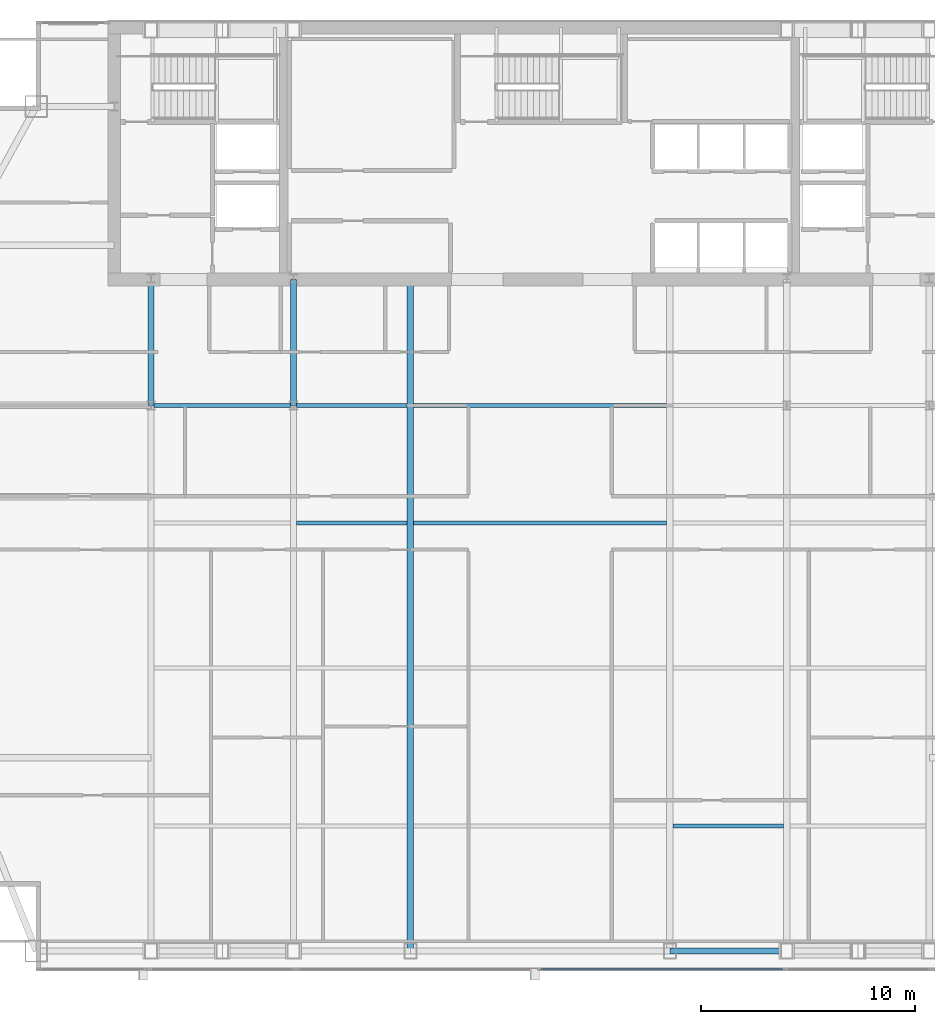
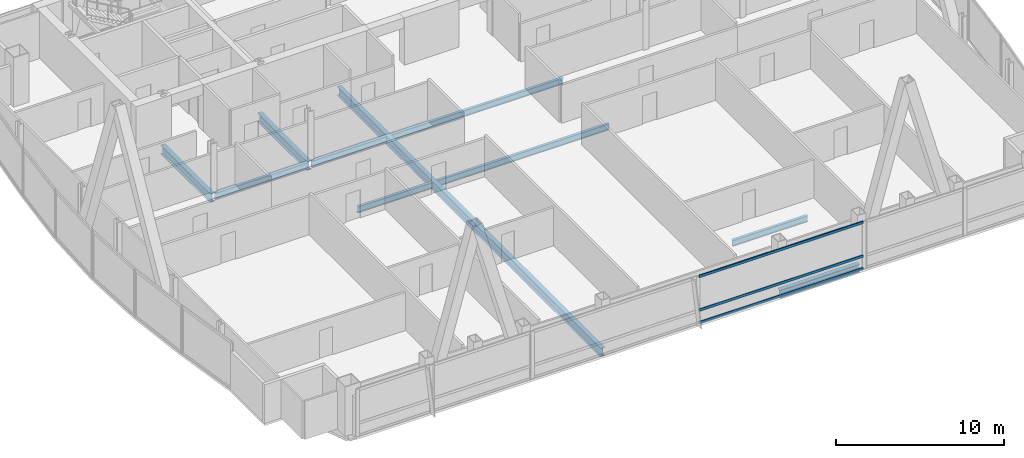
# One storey, part 13 of 31: 10 beams, 3 members, 1 element without a shape of its own.
"""IFC4 building model written with IfcOpenShell, lengths in metres."""

from ifc_helpers import new_model, si_unit, direction, frame, origin, origin_2d, place, context, subcontext, project, spatial, hollow_rectangle, i_section, extrude, material, material_profile, profile_set, type_object, element, aggregate, save


model = new_model("IFC4")

# Units and contexts
model_context = context("Model", 3, precision=1e-05, world=origin(), true_north=direction((0.0, 1.0)))
body_context = subcontext(model_context, "Body", "Model", "MODEL_VIEW")
ifc_project = project(units=[si_unit("LENGTHUNIT", "METRE"), si_unit("AREAUNIT", "SQUARE_METRE"), si_unit("VOLUMEUNIT", "CUBIC_METRE"), si_unit("PLANEANGLEUNIT", "RADIAN"), si_unit("MASSUNIT", "GRAM", prefix="KILO")], contexts=[model_context])

# Site, building, storey
site_placement = place(None, origin())
site = spatial("IfcSite", under=ifc_project, at=site_placement, CompositionType="ELEMENT")
building_placement = place(site_placement, origin())
building = spatial("IfcBuilding", under=site, at=building_placement, Name="Khoronbel Lancet Exchange", CompositionType="ELEMENT")
storey_placement = place(building_placement, frame((0.0, 0.0, 249.800048828125)))
storey = spatial("IfcBuildingStorey", under=building, at=storey_placement, Name="L64", CompositionType="ELEMENT", Elevation=249.800048828125)

# Beams
ifc_material_1 = material(Name="Steel S355", Category="steel")
ifc_material_profile_1 = material_profile(ifc_material_1, i_section(OverallWidth=0.300048828125, OverallDepth=0.64990234375, WebThickness=0.01611328125, FlangeThickness=0.031005859375, at=origin_2d()), Name="HEB 650")
ifc_profile_set_1 = profile_set([ifc_material_profile_1], Name="Steel S355")
beam_type_1 = type_object("IfcBeamType", Name="BM-BG4", PredefinedType="BEAM", material=ifc_profile_set_1)
for number, where, z_axis, x_axis, name in (
    (1, (18.22509765625, 35.699951171875, -0.485107421875), (0.0, 1.0, 0.0), (-1.0, 0.0, 0.0), "Level L64 spine tie girder GN1"),
    (2, (24.89990234375, 35.699951171875, -0.485107421875), (0.0, 1.0, 0.0), (-1.0, 0.0, 0.0), "Level L64 spine tie girder GN2"),
):
    element("IfcBeam", number, at=place(storey_placement, frame(where, z_axis=z_axis, x_axis=x_axis)), inside=storey, type_object=beam_type_1, Name=name, PredefinedType="BEAM", context=body_context, shape_type="SweptSolid", body=[
        extrude(i_section(OverallWidth=0.300048828125, OverallDepth=0.64990234375, WebThickness=0.01611328125, FlangeThickness=0.031005859375, at=origin_2d()), origin(), (0.0, 0.0, 1.0), 5.900146484375),
    ])
beam_1_placement = place(storey_placement, frame((30.375, 10.14990234375, -0.485107421875), z_axis=(0.0, 1.0, 0.0), x_axis=(-1.0, 0.0, 0.0)))
element("IfcBeam", 3, at=beam_1_placement, inside=storey, type_object=beam_type_1, Name="Level L64 primary floor girder G3", PredefinedType="BEAM", context=body_context, shape_type="SweptSolid", body=[
    extrude(i_section(OverallWidth=0.300048828125, OverallDepth=0.64990234375, WebThickness=0.01611328125, FlangeThickness=0.031005859375, at=origin_2d()), origin(), (0.0, 0.0, 1.0), 31.4501953125),
])
ifc_material_profile_2 = material_profile(ifc_material_1, i_section(OverallWidth=0.18994140625, OverallDepth=0.449951171875, WebThickness=0.009521484375, FlangeThickness=0.0146484375, at=origin_2d()), Name="IPE 450")
ifc_profile_set_2 = profile_set([ifc_material_profile_2], Name="Steel S355")
beam_type_2 = type_object("IfcBeamType", Name="BM-BJ4", PredefinedType="JOIST", material=ifc_profile_set_2)
for number, where, z_axis, x_axis, name in (
    (4, (42.675048828125, 16.0, -0.385009765625), (1.0, 0.0, 0.0), (0.0, 1.0, 0.0), "Level L64 secondary composite joist J04"),
    (5, (25.050048828125, 30.199951171875, -0.385009765625), (1.0, 0.0, 0.0), (0.0, 1.0, 0.0), "Level L64 secondary composite joist J12"),
):
    element("IfcBeam", number, at=place(storey_placement, frame(where, z_axis=z_axis, x_axis=x_axis)), inside=storey, type_object=beam_type_2, Name=name, PredefinedType="JOIST", context=body_context, shape_type="SweptSolid", body=[
        extrude(i_section(OverallWidth=0.18994140625, OverallDepth=0.449951171875, WebThickness=0.009521484375, FlangeThickness=0.0146484375, at=origin_2d()), origin(), (0.0, 0.0, 1.0), 5.175048828125),
    ])
beam_2_placement = place(storey_placement, frame((30.52490234375, 30.199951171875, -0.385009765625), z_axis=(1.0, 0.0, 0.0), x_axis=(0.0, 1.0, 0.0)))
element("IfcBeam", 6, at=beam_2_placement, inside=storey, type_object=beam_type_2, Name="Level L64 secondary composite joist J13", PredefinedType="JOIST", context=body_context, shape_type="SweptSolid", body=[
    extrude(i_section(OverallWidth=0.18994140625, OverallDepth=0.449951171875, WebThickness=0.009521484375, FlangeThickness=0.0146484375, at=origin_2d()), origin(), (0.0, 0.0, 1.0), 11.85009765625),
])
beam_3_placement = place(storey_placement, frame((18.375, 35.699951171875, -0.385009765625), z_axis=(1.0, 0.0, 0.0), x_axis=(0.0, 1.0, 0.0)))
element("IfcBeam", 7, at=beam_3_placement, inside=storey, type_object=beam_type_2, Name="Level L64 secondary composite joist J16", PredefinedType="JOIST", context=body_context, shape_type="SweptSolid", body=[
    extrude(i_section(OverallWidth=0.18994140625, OverallDepth=0.449951171875, WebThickness=0.009521484375, FlangeThickness=0.0146484375, at=origin_2d()), origin(), (0.0, 0.0, 1.0), 6.375),
])
beam_4_placement = place(storey_placement, frame((25.050048828125, 35.699951171875, -0.385009765625), z_axis=(1.0, 0.0, 0.0), x_axis=(0.0, 1.0, 0.0)))
element("IfcBeam", 8, at=beam_4_placement, inside=storey, type_object=beam_type_2, Name="Level L64 secondary composite joist J17", PredefinedType="JOIST", context=body_context, shape_type="SweptSolid", body=[
    extrude(i_section(OverallWidth=0.18994140625, OverallDepth=0.449951171875, WebThickness=0.009521484375, FlangeThickness=0.0146484375, at=origin_2d()), origin(), (0.0, 0.0, 1.0), 5.175048828125),
])
beam_5_placement = place(storey_placement, frame((30.52490234375, 35.699951171875, -0.385009765625), z_axis=(1.0, 0.0, 0.0), x_axis=(0.0, 1.0, 0.0)))
element("IfcBeam", 9, at=beam_5_placement, inside=storey, type_object=beam_type_2, Name="Level L64 secondary composite joist J18", PredefinedType="JOIST", context=body_context, shape_type="SweptSolid", body=[
    extrude(i_section(OverallWidth=0.18994140625, OverallDepth=0.449951171875, WebThickness=0.009521484375, FlangeThickness=0.0146484375, at=origin_2d()), origin(), (0.0, 0.0, 1.0), 11.85009765625),
])
ifc_material_profile_3 = material_profile(ifc_material_1, i_section(OverallWidth=0.300048828125, OverallDepth=0.60009765625, WebThickness=0.015380859375, FlangeThickness=0.030029296875, at=origin_2d()), Name="HEB 600")
ifc_profile_set_3 = profile_set([ifc_material_profile_3], Name="Steel S355")
beam_type_3 = type_object("IfcBeamType", Name="BM-BSP2", PredefinedType="SPANDREL", material=ifc_profile_set_3)
beam_6_placement = place(storey_placement, frame((42.52490234375, 10.14990234375, -0.4599609375), z_axis=(1.0, 0.0, 0.0), x_axis=(0.0, 1.0, 0.0)))
element("IfcBeam", 10, at=beam_6_placement, inside=storey, type_object=beam_type_3, Name="Level L64 perimeter spandrel beam SP06", PredefinedType="SPANDREL", context=body_context, shape_type="SweptSolid", body=[
    extrude(i_section(OverallWidth=0.300048828125, OverallDepth=0.60009765625, WebThickness=0.015380859375, FlangeThickness=0.030029296875, at=origin_2d()), origin(), (0.0, 0.0, 1.0), 5.47509765625),
])

# Curtain wall, members
ifc_material_2 = material(Name="Low-E Solar Control Insulating Glass", Category="glass")
curtain_wall_type = type_object("IfcCurtainWallType", Name="CW-3", PredefinedType="NOTDEFINED", material=ifc_material_2)
curtain_wall_placement = place(storey_placement, origin())
curtain_wall = element("IfcCurtainWall", 11, at=curtain_wall_placement, inside=storey, type_object=curtain_wall_type, Name="Unitised curtain wall CW-L64-SCV", PredefinedType="NOTDEFINED")
ifc_material_3 = material(Name="Bronze-Anodised Aluminium 6063-T6", Category="aluminium")
ifc_material_profile_4 = material_profile(ifc_material_3, hollow_rectangle(XDim=0.0849609375, YDim=0.179931640625, WallThickness=0.0048828125, at=origin_2d()), Name="ALU TRANSOM 85x180")
ifc_profile_set_4 = profile_set([ifc_material_profile_4], Name="Bronze-Anodised Aluminium 6063-T6")
member_type = type_object("IfcMemberType", Name="MEM-CWT1", PredefinedType="USERDEFINED", material=ifc_profile_set_4)
member_1_placement = place(storey_placement, frame((36.492431640625, 9.2900390625, 0.04248046875), z_axis=(1.0, 0.0, 0.0), x_axis=(0.0, 1.0, 0.0)))
member_1 = element("IfcMember", 12, at=member_1_placement, type_object=member_type, Name="CW3 transom 2.1", ObjectType="TRANSOM", PredefinedType="USERDEFINED", context=body_context, shape_type="SweptSolid", body=[
    extrude(hollow_rectangle(XDim=0.0849609375, YDim=0.179931640625, WallThickness=0.0048828125, at=origin_2d()), origin(), (0.0, 0.0, 1.0), 11.322509765625),
])
member_2_placement = place(storey_placement, frame((36.492431640625, 9.2900390625, 0.949951171875), z_axis=(1.0, 0.0, 0.0), x_axis=(0.0, 1.0, 0.0)))
member_2 = element("IfcMember", 13, at=member_2_placement, type_object=member_type, Name="CW3 transom 2.2", ObjectType="TRANSOM", PredefinedType="USERDEFINED", context=body_context, shape_type="SweptSolid", body=[
    extrude(hollow_rectangle(XDim=0.0849609375, YDim=0.179931640625, WallThickness=0.0048828125, at=origin_2d()), origin(), (0.0, 0.0, 1.0), 11.322509765625),
])
member_3_placement = place(storey_placement, frame((36.492431640625, 9.2900390625, 3.3974609375), z_axis=(1.0, 0.0, 0.0), x_axis=(0.0, 1.0, 0.0)))
member_3 = element("IfcMember", 14, at=member_3_placement, type_object=member_type, Name="CW3 transom 2.3", ObjectType="TRANSOM", PredefinedType="USERDEFINED", context=body_context, shape_type="SweptSolid", body=[
    extrude(hollow_rectangle(XDim=0.0849609375, YDim=0.179931640625, WallThickness=0.0048828125, at=origin_2d()), origin(), (0.0, 0.0, 1.0), 11.322509765625),
])
aggregate(curtain_wall, [member_1, member_2, member_3])

save(model, "model.ifc")
